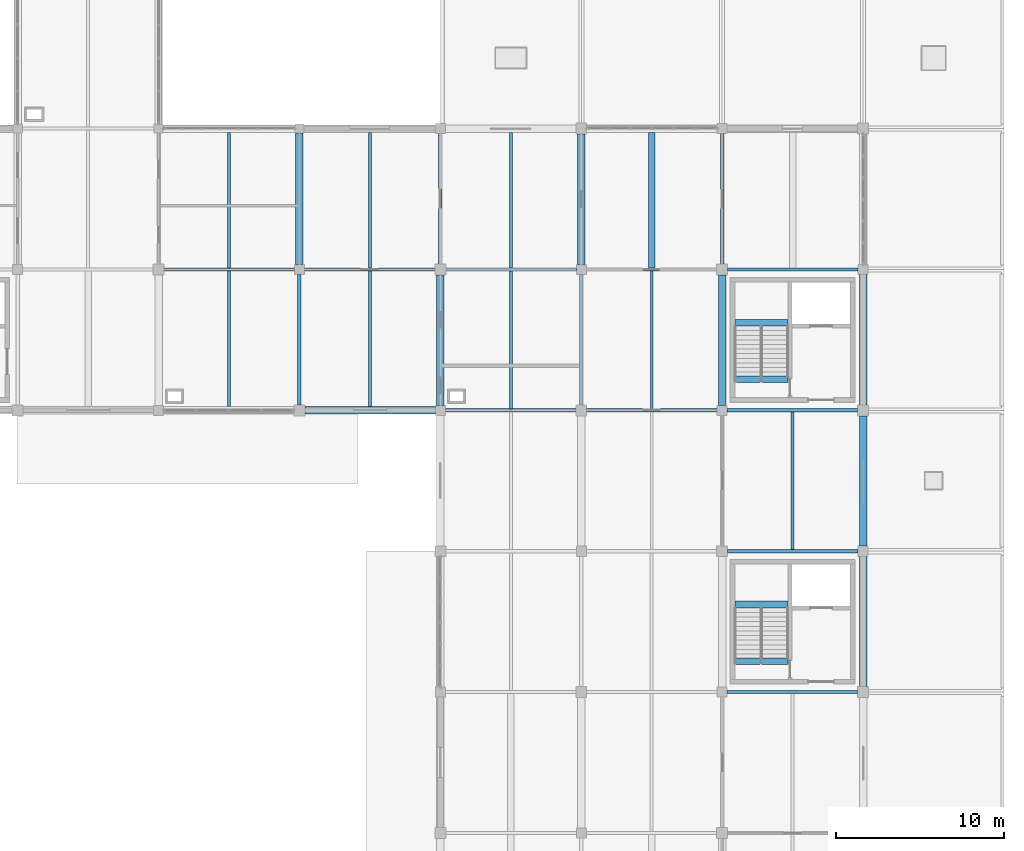
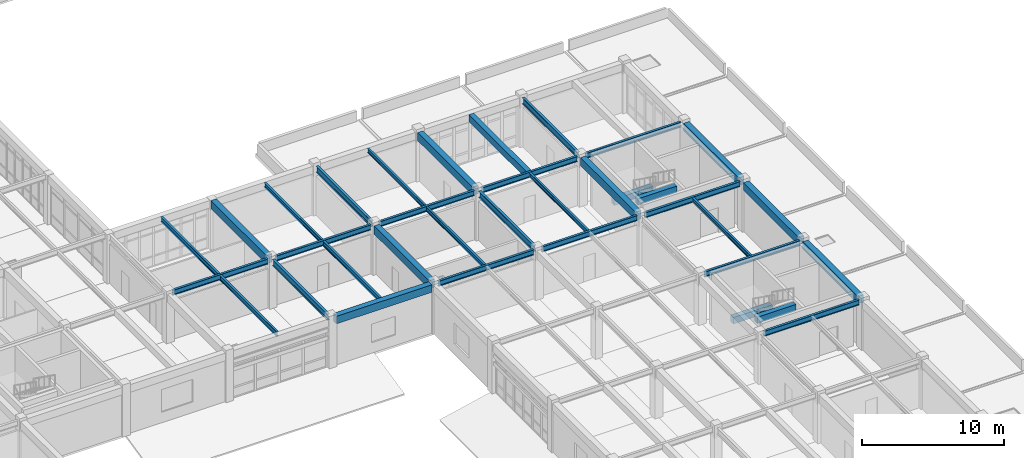
# One storey, part 34 of 78: 35 beams.
"""IFC4 building model written with IfcOpenShell, lengths in metres."""

from ifc_helpers import new_model, si_unit, direction, frame, origin, origin_2d, place, context, subcontext, project, spatial, rectangle, i_section, extrude, material, material_profile, profile_set, type_object, element, save


model = new_model("IFC4")

# Units and contexts
model_context = context("Model", 3, precision=1e-05, world=origin(), true_north=direction((0.0, 1.0)))
body_context = subcontext(model_context, "Body", "Model", "MODEL_VIEW")
ifc_project = project(units=[si_unit("LENGTHUNIT", "METRE"), si_unit("AREAUNIT", "SQUARE_METRE"), si_unit("VOLUMEUNIT", "CUBIC_METRE"), si_unit("PLANEANGLEUNIT", "RADIAN"), si_unit("MASSUNIT", "GRAM", prefix="KILO")], contexts=[model_context])

# Site, building, storey
site_placement = place(None, origin())
site = spatial("IfcSite", under=ifc_project, at=site_placement, CompositionType="ELEMENT")
building_placement = place(site_placement, origin())
building = spatial("IfcBuilding", under=site, at=building_placement, Name="Porcellanite Civic Hall", CompositionType="ELEMENT")
storey_placement = place(building_placement, frame((0.0, 0.0, 10.260009765625)))
storey = spatial("IfcBuildingStorey", under=building, at=storey_placement, Name="L02", CompositionType="ELEMENT", Elevation=10.260009765625)

# Beams
ifc_material_1 = material(Name="Concrete N50 (50 MPa)", Category="concrete")
ifc_material_profile_1 = material_profile(ifc_material_1, rectangle(XDim=0.39990234375, YDim=0.550048828125, at=origin_2d()), Name="RC-400x550")
ifc_profile_set_1 = profile_set([ifc_material_profile_1], Name="Concrete N50 (50 MPa)")
beam_type_1 = type_object("IfcBeamType", Name="BM-RC550", PredefinedType="JOIST", material=ifc_profile_set_1)
for number, where, z_axis, x_axis, name in (
    (1, (160.360595703125, 38.824951171875, 1.885009765625), (1.0, 0.0, 0.0), (0.0, 1.0, 0.0), "Stair landing beam C7 L02"),
    (2, (160.360595703125, 35.449951171875, 3.965087890625), (1.0, 0.0, 0.0), (0.0, 1.0, 0.0), "Stair header beam C7 L02"),
    (3, (160.360595703125, 55.625, 1.885009765625), (1.0, 0.0, 0.0), (0.0, 1.0, 0.0), "Stair landing beam C8 L02"),
    (4, (160.360595703125, 52.25, 3.965087890625), (1.0, 0.0, 0.0), (0.0, 1.0, 0.0), "Stair header beam C8 L02"),
):
    element("IfcBeam", number, at=place(storey_placement, frame(where, z_axis=z_axis, x_axis=x_axis)), inside=storey, type_object=beam_type_1, Name=name, PredefinedType="JOIST", context=body_context, shape_type="SweptSolid", body=[
        extrude(rectangle(XDim=0.39990234375, YDim=0.550048828125, at=origin_2d()), origin(), (0.0, 0.0, 1.0), 3.158935546875),
    ])
ifc_material_2 = material(Name="Concrete N50 (50 MPa)", Category="concrete")
ifc_material_profile_2 = material_profile(ifc_material_2, rectangle(XDim=0.39990234375, YDim=0.60009765625, at=origin_2d()), Name="RC-400x600")
ifc_profile_set_2 = profile_set([ifc_material_profile_2], Name="Concrete N50 (50 MPa)")
beam_type_2 = type_object("IfcBeamType", Name="BM-RC600", PredefinedType="JOIST", material=ifc_profile_set_2)
beam_1_placement = place(storey_placement, frame((155.39990234375, 58.89453125, 3.93994140625), z_axis=(0.0, 1.0, 0.0), x_axis=(-1.0, 0.0, 0.0)))
element("IfcBeam", 5, at=beam_1_placement, inside=storey, type_object=beam_type_2, Name="Secondary joist L02 19-8", PredefinedType="JOIST", context=body_context, shape_type="SweptSolid", body=[
    extrude(rectangle(XDim=0.39990234375, YDim=0.60009765625, at=origin_2d()), origin(), (0.0, 0.0, 1.0), 8.0810546875),
])
ifc_material_3 = material(Name="Concrete N50 (50 MPa)", Category="concrete")
ifc_material_profile_3 = material_profile(ifc_material_3, rectangle(XDim=0.449951171875, YDim=0.64990234375, at=origin_2d()), Name="RC-450x650")
ifc_profile_set_3 = profile_set([ifc_material_profile_3], Name="Concrete N50 (50 MPa)")
beam_type_3 = type_object("IfcBeamType", Name="BM-RC650", PredefinedType="SPANDREL", material=ifc_profile_set_3)
for number, where, z_axis, x_axis, name in (
    (6, (134.724609375, 50.39990234375, 3.9150390625), (1.0, 0.0, 0.0), (0.0, 1.0, 0.0), "Beam X L02 17-7"),
    (7, (168.0, 33.924560546875, 3.9150390625), (0.0, 1.0, 0.0), (-1.0, 0.0, 0.0), "Beam Y L02 21-5"),
    (8, (168.0, 42.299560546875, 3.9150390625), (0.0, 1.0, 0.0), (-1.0, 0.0, 0.0), "Beam Y L02 21-6"),
    (9, (168.0, 50.724609375, 3.9150390625), (0.0, 1.0, 0.0), (-1.0, 0.0, 0.0), "Beam Y L02 21-7"),
):
    element("IfcBeam", number, at=place(storey_placement, frame(where, z_axis=z_axis, x_axis=x_axis)), inside=storey, type_object=beam_type_3, Name=name, PredefinedType="SPANDREL", context=body_context, shape_type="SweptSolid", body=[
        extrude(rectangle(XDim=0.449951171875, YDim=0.64990234375, at=origin_2d()), origin(), (0.0, 0.0, 1.0), 7.77587890625),
    ])
ifc_material_4 = material(Name="Concrete N50 (50 MPa)", Category="concrete")
ifc_material_profile_4 = material_profile(ifc_material_4, rectangle(XDim=0.449951171875, YDim=0.699951171875, at=origin_2d()), Name="RC-450x700")
ifc_profile_set_4 = profile_set([ifc_material_profile_4], Name="Concrete N50 (50 MPa)")
beam_type_4 = type_object("IfcBeamType", Name="BM-RC700", PredefinedType="BEAM", material=ifc_profile_set_4)
beam_2_placement = place(storey_placement, frame((134.39990234375, 59.099609375, 3.889892578125), z_axis=(0.0, 1.0, 0.0), x_axis=(-1.0, 0.0, 0.0)))
element("IfcBeam", 10, at=beam_2_placement, inside=storey, type_object=beam_type_4, Name="Beam Y L02 17-8", PredefinedType="BEAM", context=body_context, shape_type="SweptSolid", body=[
    extrude(rectangle(XDim=0.449951171875, YDim=0.699951171875, at=origin_2d()), origin(), (0.0, 0.0, 1.0), 7.825927734375),
])
beam_3_placement = place(storey_placement, frame((142.800048828125, 50.699462890625, 3.889892578125), z_axis=(0.0, 1.0, 0.0), x_axis=(-1.0, 0.0, 0.0)))
element("IfcBeam", 11, at=beam_3_placement, inside=storey, type_object=beam_type_4, Name="Beam Y L02 18-7", PredefinedType="BEAM", context=body_context, shape_type="SweptSolid", body=[
    extrude(rectangle(XDim=0.449951171875, YDim=0.699951171875, at=origin_2d()), origin(), (0.0, 0.0, 1.0), 7.776123046875),
])
beam_4_placement = place(storey_placement, frame((151.199951171875, 59.099609375, 3.889892578125), z_axis=(0.0, 1.0, 0.0), x_axis=(-1.0, 0.0, 0.0)))
element("IfcBeam", 12, at=beam_4_placement, inside=storey, type_object=beam_type_4, Name="Beam Y L02 19-8", PredefinedType="BEAM", context=body_context, shape_type="SweptSolid", body=[
    extrude(rectangle(XDim=0.449951171875, YDim=0.699951171875, at=origin_2d()), origin(), (0.0, 0.0, 1.0), 7.77587890625),
])
beam_5_placement = place(storey_placement, frame((159.60009765625, 50.699462890625, 3.889892578125), z_axis=(0.0, 1.0, 0.0), x_axis=(-1.0, 0.0, 0.0)))
element("IfcBeam", 13, at=beam_5_placement, inside=storey, type_object=beam_type_4, Name="Beam Y L02 20-7", PredefinedType="BEAM", context=body_context, shape_type="SweptSolid", body=[
    extrude(rectangle(XDim=0.449951171875, YDim=0.699951171875, at=origin_2d()), origin(), (0.0, 0.0, 1.0), 7.776123046875),
])
ifc_material_5 = material(Name="Steel Grade 350", Category="steel")
ifc_material_profile_5 = material_profile(ifc_material_5, i_section(OverallWidth=0.1708984375, OverallDepth=0.35595703125, WebThickness=0.00732421875, FlangeThickness=0.011474609375, FilletRadius=0.011474609375, at=origin_2d()), Name="360UB50.7")
ifc_profile_set_5 = profile_set([ifc_material_profile_5], Name="Steel Grade 350")
beam_type_5 = type_object("IfcBeamType", Name="JST-360UB51", PredefinedType="JOIST", material=ifc_profile_set_5)
beam_6_placement = place(storey_placement, frame((147.0, 58.89453125, 4.06201171875), z_axis=(0.0, 1.0, 0.0), x_axis=(-1.0, 0.0, 0.0)))
element("IfcBeam", 14, at=beam_6_placement, inside=storey, type_object=beam_type_5, Name="Secondary joist L02 18-8", PredefinedType="JOIST", context=body_context, shape_type="SweptSolid", body=[
    extrude(i_section(OverallWidth=0.1708984375, OverallDepth=0.35595703125, WebThickness=0.00732421875, FlangeThickness=0.011474609375, FilletRadius=0.011474609375, at=origin_2d()), origin(), (0.0, 0.0, 1.0), 8.0810546875),
])
beam_7_placement = place(storey_placement, frame((155.39990234375, 50.494384765625, 4.06201171875), z_axis=(0.0, 1.0, 0.0), x_axis=(-1.0, 0.0, 0.0)))
element("IfcBeam", 15, at=beam_7_placement, inside=storey, type_object=beam_type_5, Name="Secondary joist L02 19-7", PredefinedType="JOIST", context=body_context, shape_type="SweptSolid", body=[
    extrude(i_section(OverallWidth=0.1708984375, OverallDepth=0.35595703125, WebThickness=0.00732421875, FlangeThickness=0.011474609375, FilletRadius=0.011474609375, at=origin_2d()), origin(), (0.0, 0.0, 1.0), 8.211181640625),
])
beam_8_placement = place(storey_placement, frame((163.800048828125, 42.094482421875, 4.06201171875), z_axis=(0.0, 1.0, 0.0), x_axis=(-1.0, 0.0, 0.0)))
element("IfcBeam", 16, at=beam_8_placement, inside=storey, type_object=beam_type_5, Name="Secondary joist L02 20-6", PredefinedType="JOIST", context=body_context, shape_type="SweptSolid", body=[
    extrude(i_section(OverallWidth=0.1708984375, OverallDepth=0.35595703125, WebThickness=0.00732421875, FlangeThickness=0.011474609375, FilletRadius=0.011474609375, at=origin_2d()), origin(), (0.0, 0.0, 1.0), 8.2109375),
])
ifc_material_6 = material(Name="Steel Grade 350", Category="steel")
ifc_material_profile_6 = material_profile(ifc_material_6, i_section(OverallWidth=0.172119140625, OverallDepth=0.35888671875, WebThickness=0.008056640625, FlangeThickness=0.012939453125, FilletRadius=0.011474609375, at=origin_2d()), Name="360UB56.7")
ifc_profile_set_6 = profile_set([ifc_material_profile_6], Name="Steel Grade 350")
beam_type_6 = type_object("IfcBeamType", Name="JST-360UB57", PredefinedType="JOIST", material=ifc_profile_set_6)
beam_9_placement = place(storey_placement, frame((138.60009765625, 58.89453125, 4.060546875), z_axis=(0.0, 1.0, 0.0), x_axis=(-1.0, 0.0, 0.0)))
element("IfcBeam", 17, at=beam_9_placement, inside=storey, type_object=beam_type_6, Name="Secondary joist L02 17-8", PredefinedType="JOIST", context=body_context, shape_type="SweptSolid", body=[
    extrude(i_section(OverallWidth=0.172119140625, OverallDepth=0.35888671875, WebThickness=0.008056640625, FlangeThickness=0.012939453125, FilletRadius=0.011474609375, at=origin_2d()), origin(), (0.0, 0.0, 1.0), 8.0810546875),
])
beam_10_placement = place(storey_placement, frame((147.0, 50.494384765625, 4.060546875), z_axis=(0.0, 1.0, 0.0), x_axis=(-1.0, 0.0, 0.0)))
element("IfcBeam", 18, at=beam_10_placement, inside=storey, type_object=beam_type_6, Name="Secondary joist L02 18-7", PredefinedType="JOIST", context=body_context, shape_type="SweptSolid", body=[
    extrude(i_section(OverallWidth=0.172119140625, OverallDepth=0.35888671875, WebThickness=0.008056640625, FlangeThickness=0.012939453125, FilletRadius=0.011474609375, at=origin_2d()), origin(), (0.0, 0.0, 1.0), 8.211181640625),
])
ifc_material_7 = material(Name="Steel Grade 350", Category="steel")
ifc_material_profile_7 = material_profile(ifc_material_7, i_section(OverallWidth=0.177978515625, OverallDepth=0.403076171875, WebThickness=0.007568359375, FlangeThickness=0.010986328125, FilletRadius=0.011474609375, at=origin_2d()), Name="410UB53.7")
ifc_profile_set_7 = profile_set([ifc_material_profile_7], Name="Steel Grade 350")
beam_type_7 = type_object("IfcBeamType", Name="JST-410UB54", PredefinedType="JOIST", material=ifc_profile_set_7)
for number, where, z_axis, x_axis, name in (
    (19, (130.199951171875, 58.89453125, 4.03857421875), (0.0, 1.0, 0.0), (-1.0, 0.0, 0.0), "Secondary joist L02 16-8"),
    (20, (138.60009765625, 50.62451171875, 4.03857421875), (0.0, 1.0, 0.0), (-1.0, 0.0, 0.0), "Secondary joist L02 17-7"),
):
    element("IfcBeam", number, at=place(storey_placement, frame(where, z_axis=z_axis, x_axis=x_axis)), inside=storey, type_object=beam_type_7, Name=name, PredefinedType="JOIST", context=body_context, shape_type="SweptSolid", body=[
        extrude(i_section(OverallWidth=0.177978515625, OverallDepth=0.403076171875, WebThickness=0.007568359375, FlangeThickness=0.010986328125, FilletRadius=0.011474609375, at=origin_2d()), origin(), (0.0, 0.0, 1.0), 8.0810546875),
    ])
ifc_material_8 = material(Name="Steel Grade 350", Category="steel")
ifc_material_profile_8 = material_profile(ifc_material_8, i_section(OverallWidth=0.177978515625, OverallDepth=0.406005859375, WebThickness=0.0078125, FlangeThickness=0.0126953125, FilletRadius=0.011474609375, at=origin_2d()), Name="410UB59.7")
ifc_profile_set_8 = profile_set([ifc_material_profile_8], Name="Steel Grade 350")
beam_type_8 = type_object("IfcBeamType", Name="JST-410UB60", PredefinedType="JOIST", material=ifc_profile_set_8)
beam_11_placement = place(storey_placement, frame((130.199951171875, 50.62451171875, 4.037109375), z_axis=(0.0, 1.0, 0.0), x_axis=(-1.0, 0.0, 0.0)))
element("IfcBeam", 21, at=beam_11_placement, inside=storey, type_object=beam_type_8, Name="Secondary joist L02 16-7", PredefinedType="JOIST", context=body_context, shape_type="SweptSolid", body=[
    extrude(i_section(OverallWidth=0.177978515625, OverallDepth=0.406005859375, WebThickness=0.0078125, FlangeThickness=0.0126953125, FilletRadius=0.011474609375, at=origin_2d()), origin(), (0.0, 0.0, 1.0), 8.0810546875),
])
ifc_material_9 = material(Name="Steel Grade 350", Category="steel")
ifc_material_profile_9 = material_profile(ifc_material_9, i_section(OverallWidth=0.18994140625, OverallDepth=0.4541015625, WebThickness=0.008544921875, FlangeThickness=0.0126953125, FilletRadius=0.011474609375, at=origin_2d()), Name="460UB67.1")
ifc_profile_set_9 = profile_set([ifc_material_profile_9], Name="Steel Grade 350")
beam_type_9 = type_object("IfcBeamType", Name="RAF-460UB67", PredefinedType="BEAM", material=ifc_profile_set_9)
for number, where, z_axis, x_axis, name in (
    (22, (126.324462890625, 58.800048828125, 4.012939453125), (1.0, 0.0, 0.0), (0.0, 1.0, 0.0), "Beam X L02 16-8"),
    (23, (134.699462890625, 58.800048828125, 4.012939453125), (1.0, 0.0, 0.0), (0.0, 1.0, 0.0), "Beam X L02 17-8"),
):
    element("IfcBeam", number, at=place(storey_placement, frame(where, z_axis=z_axis, x_axis=x_axis)), inside=storey, type_object=beam_type_9, Name=name, PredefinedType="BEAM", context=body_context, shape_type="SweptSolid", body=[
        extrude(i_section(OverallWidth=0.18994140625, OverallDepth=0.4541015625, WebThickness=0.008544921875, FlangeThickness=0.0126953125, FilletRadius=0.011474609375, at=origin_2d()), origin(), (0.0, 0.0, 1.0), 7.776123046875),
    ])
for number, where, z_axis, x_axis, name in (
    (24, (143.099609375, 50.39990234375, 4.012939453125), (1.0, 0.0, 0.0), (0.0, 1.0, 0.0), "Beam X L02 18-7"),
    (25, (143.12451171875, 58.800048828125, 4.012939453125), (1.0, 0.0, 0.0), (0.0, 1.0, 0.0), "Beam X L02 18-8"),
):
    element("IfcBeam", number, at=place(storey_placement, frame(where, z_axis=z_axis, x_axis=x_axis)), inside=storey, type_object=beam_type_9, Name=name, PredefinedType="BEAM", context=body_context, shape_type="SweptSolid", body=[
        extrude(i_section(OverallWidth=0.18994140625, OverallDepth=0.4541015625, WebThickness=0.008544921875, FlangeThickness=0.0126953125, FilletRadius=0.011474609375, at=origin_2d()), origin(), (0.0, 0.0, 1.0), 7.77587890625),
    ])
beam_12_placement = place(storey_placement, frame((151.5244140625, 50.39990234375, 4.012939453125), z_axis=(1.0, 0.0, 0.0), x_axis=(0.0, 1.0, 0.0)))
element("IfcBeam", 26, at=beam_12_placement, inside=storey, type_object=beam_type_9, Name="Beam X L02 19-7", PredefinedType="BEAM", context=body_context, shape_type="SweptSolid", body=[
    extrude(i_section(OverallWidth=0.18994140625, OverallDepth=0.4541015625, WebThickness=0.008544921875, FlangeThickness=0.0126953125, FilletRadius=0.011474609375, at=origin_2d()), origin(), (0.0, 0.0, 1.0), 7.776123046875),
])
beam_13_placement = place(storey_placement, frame((151.49951171875, 58.800048828125, 4.012939453125), z_axis=(1.0, 0.0, 0.0), x_axis=(0.0, 1.0, 0.0)))
element("IfcBeam", 27, at=beam_13_placement, inside=storey, type_object=beam_type_9, Name="Beam X L02 19-8", PredefinedType="BEAM", context=body_context, shape_type="SweptSolid", body=[
    extrude(i_section(OverallWidth=0.18994140625, OverallDepth=0.4541015625, WebThickness=0.008544921875, FlangeThickness=0.0126953125, FilletRadius=0.011474609375, at=origin_2d()), origin(), (0.0, 0.0, 1.0), 7.77587890625),
])
beam_14_placement = place(storey_placement, frame((159.8994140625, 33.60009765625, 4.012939453125), z_axis=(1.0, 0.0, 0.0), x_axis=(0.0, 1.0, 0.0)))
element("IfcBeam", 28, at=beam_14_placement, inside=storey, type_object=beam_type_9, Name="Beam X L02 20-5", PredefinedType="BEAM", context=body_context, shape_type="SweptSolid", body=[
    extrude(i_section(OverallWidth=0.18994140625, OverallDepth=0.4541015625, WebThickness=0.008544921875, FlangeThickness=0.0126953125, FilletRadius=0.011474609375, at=origin_2d()), origin(), (0.0, 0.0, 1.0), 7.776123046875),
])
beam_15_placement = place(storey_placement, frame((159.924560546875, 42.0, 4.012939453125), z_axis=(1.0, 0.0, 0.0), x_axis=(0.0, 1.0, 0.0)))
element("IfcBeam", 29, at=beam_15_placement, inside=storey, type_object=beam_type_9, Name="Beam X L02 20-6", PredefinedType="BEAM", context=body_context, shape_type="SweptSolid", body=[
    extrude(i_section(OverallWidth=0.18994140625, OverallDepth=0.4541015625, WebThickness=0.008544921875, FlangeThickness=0.0126953125, FilletRadius=0.011474609375, at=origin_2d()), origin(), (0.0, 0.0, 1.0), 7.77587890625),
])
beam_16_placement = place(storey_placement, frame((159.8994140625, 50.39990234375, 4.012939453125), z_axis=(1.0, 0.0, 0.0), x_axis=(0.0, 1.0, 0.0)))
element("IfcBeam", 30, at=beam_16_placement, inside=storey, type_object=beam_type_9, Name="Beam X L02 20-7", PredefinedType="BEAM", context=body_context, shape_type="SweptSolid", body=[
    extrude(i_section(OverallWidth=0.18994140625, OverallDepth=0.4541015625, WebThickness=0.008544921875, FlangeThickness=0.0126953125, FilletRadius=0.011474609375, at=origin_2d()), origin(), (0.0, 0.0, 1.0), 7.776123046875),
])
beam_17_placement = place(storey_placement, frame((159.924560546875, 58.800048828125, 4.012939453125), z_axis=(1.0, 0.0, 0.0), x_axis=(0.0, 1.0, 0.0)))
element("IfcBeam", 31, at=beam_17_placement, inside=storey, type_object=beam_type_9, Name="Beam X L02 20-8", PredefinedType="BEAM", context=body_context, shape_type="SweptSolid", body=[
    extrude(i_section(OverallWidth=0.18994140625, OverallDepth=0.4541015625, WebThickness=0.008544921875, FlangeThickness=0.0126953125, FilletRadius=0.011474609375, at=origin_2d()), origin(), (0.0, 0.0, 1.0), 7.77587890625),
])
ifc_material_10 = material(Name="Steel Grade 350", Category="steel")
ifc_material_profile_10 = material_profile(ifc_material_10, i_section(OverallWidth=0.208984375, OverallDepth=0.528076171875, WebThickness=0.009521484375, FlangeThickness=0.01318359375, FilletRadius=0.013916015625, at=origin_2d()), Name="530UB82.0")
ifc_profile_set_10 = profile_set([ifc_material_profile_10], Name="Steel Grade 350")
beam_type_10 = type_object("IfcBeamType", Name="RAF-530UB82", PredefinedType="BEAM", material=ifc_profile_set_10)
for number, where, z_axis, x_axis, name in (
    (32, (134.39990234375, 50.724609375, 3.97607421875), (0.0, 1.0, 0.0), (-1.0, 0.0, 0.0), "Beam Y L02 17-7"),
    (33, (142.800048828125, 59.12451171875, 3.97607421875), (0.0, 1.0, 0.0), (-1.0, 0.0, 0.0), "Beam Y L02 18-8"),
    (34, (151.199951171875, 50.724609375, 3.97607421875), (0.0, 1.0, 0.0), (-1.0, 0.0, 0.0), "Beam Y L02 19-7"),
    (35, (159.60009765625, 59.12451171875, 3.97607421875), (0.0, 1.0, 0.0), (-1.0, 0.0, 0.0), "Beam Y L02 20-8"),
):
    element("IfcBeam", number, at=place(storey_placement, frame(where, z_axis=z_axis, x_axis=x_axis)), inside=storey, type_object=beam_type_10, Name=name, PredefinedType="BEAM", context=body_context, shape_type="SweptSolid", body=[
        extrude(i_section(OverallWidth=0.208984375, OverallDepth=0.528076171875, WebThickness=0.009521484375, FlangeThickness=0.01318359375, FilletRadius=0.013916015625, at=origin_2d()), origin(), (0.0, 0.0, 1.0), 7.77587890625),
    ])

save(model, "model.ifc")
